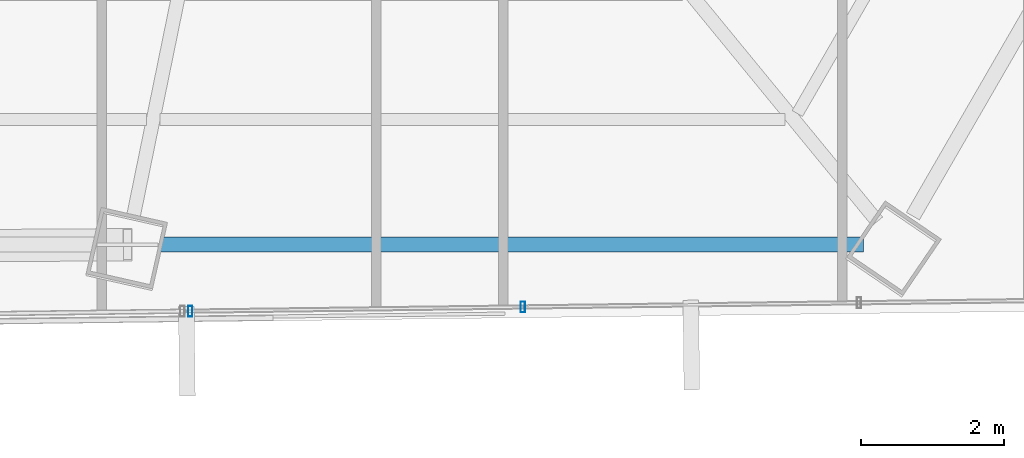
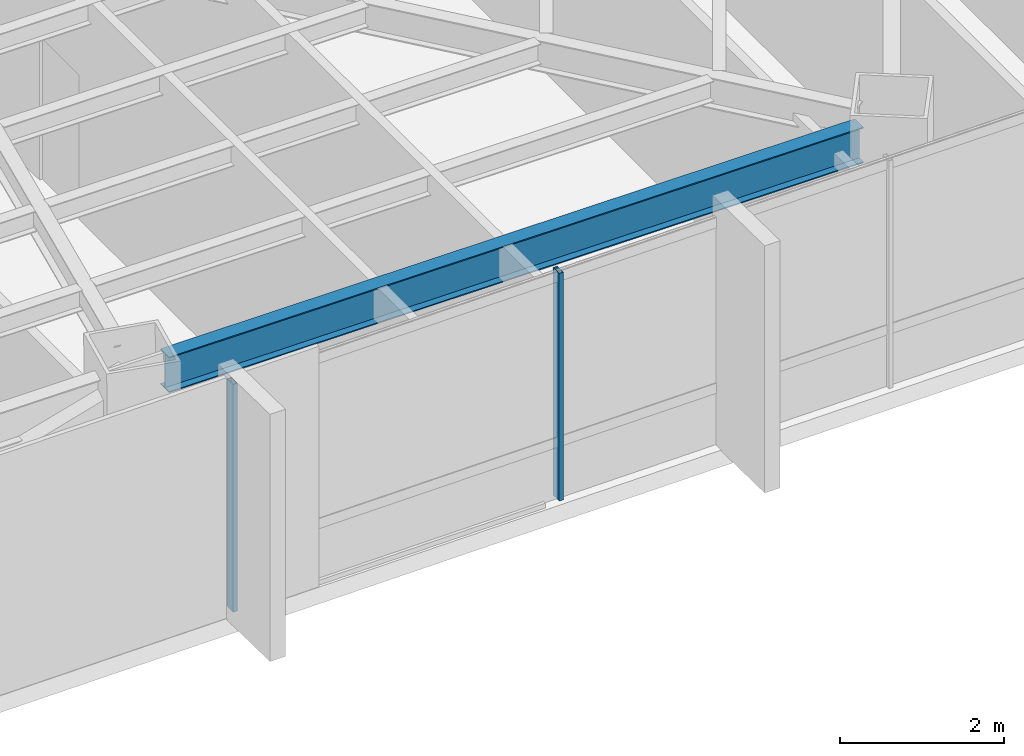
# One storey, part 17 of 42: 2 members, 1 beam, 1 element without a shape of its own.
"""IFC4 building model written with IfcOpenShell, lengths in metres."""

from ifc_helpers import new_model, si_unit, direction, frame, origin, origin_2d, place, context, subcontext, project, spatial, hollow_rectangle, i_section, extrude, source, transform, mapped, material, material_profile, profile_set, type_object, type_shapes, element, aggregate, save


model = new_model("IFC4")

# Units and contexts
model_context = context("Model", 3, precision=1e-05, world=origin(), true_north=direction((0.0, 1.0)))
body_context = subcontext(model_context, "Body", "Model", "MODEL_VIEW")
ifc_project = project(units=[si_unit("LENGTHUNIT", "METRE"), si_unit("AREAUNIT", "SQUARE_METRE"), si_unit("VOLUMEUNIT", "CUBIC_METRE"), si_unit("PLANEANGLEUNIT", "RADIAN"), si_unit("MASSUNIT", "GRAM", prefix="KILO")], contexts=[model_context])

# Site, building, storey
site_placement = place(None, origin())
site = spatial("IfcSite", under=ifc_project, at=site_placement, CompositionType="ELEMENT")
building_placement = place(site_placement, origin())
building = spatial("IfcBuilding", under=site, at=building_placement, Name="Caelisora Broadcast Tower", CompositionType="ELEMENT")
storey_placement = place(building_placement, frame((0.0, 0.0, 131.800048828125)))
storey = spatial("IfcBuildingStorey", under=building, at=storey_placement, Name="L34", CompositionType="ELEMENT", Elevation=131.800048828125)

# Beam
ifc_material_1 = material(Name="Steel Grade 350 (AS/NZS 3679.1)", Category="steel")
ifc_material_profile_1 = material_profile(ifc_material_1, i_section(OverallWidth=0.208984375, OverallDepth=0.532958984375, WebThickness=0.01025390625, FlangeThickness=0.015625, at=origin_2d()), Name="Steel Grade 350 (AS/NZS 3679.1)")
ifc_profile_set_1 = profile_set([ifc_material_profile_1], Name="Steel Grade 350 (AS/NZS 3679.1)")
beam_type = type_object("IfcBeamType", Name="PG05", PredefinedType="BEAM", material=ifc_profile_set_1)
shared_shape_1 = source(origin(), body_context, "Body", "SweptSolid", [
    extrude(i_section(OverallWidth=0.208984375, OverallDepth=0.532958984375, WebThickness=0.01025390625, FlangeThickness=0.015625, at=origin_2d()), origin(), (0.0, 0.0, 1.0), 9.803466796875),
])
type_shapes(beam_type, [shared_shape_1])
beam_placement = place(storey_placement, frame((43.821533203125, 6.936279296875, 3.133544921875), z_axis=(1.0, 0.0, 0.0), x_axis=(0.0, 1.0, 0.0)))
element("IfcBeam", 1, at=beam_placement, inside=storey, type_object=beam_type, Name="L34 beam PG05", PredefinedType="BEAM", context=body_context, shape_type="MappedRepresentation", body=[
    mapped(shared_shape_1, transform((0.0, 0.0, 0.0), scale=1.0)),
])

# Curtain wall, members
ifc_material_2 = material(Name="Unitised Aluminium and Low-E Glass Curtain Wall", Category="glass")
curtain_wall_type = type_object("IfcCurtainWallType", Name="CW-Z3", PredefinedType="NOTDEFINED", material=ifc_material_2)
curtain_wall_placement = place(storey_placement, origin())
curtain_wall = element("IfcCurtainWall", 2, at=curtain_wall_placement, inside=storey, type_object=curtain_wall_type, Name="L34 curtain wall CW-Z3", PredefinedType="NOTDEFINED")
ifc_material_3 = material(Name="Aluminium 6063-T6 Anodised Terracotta Bronze", Category="aluminium")
ifc_material_profile_2 = material_profile(ifc_material_3, hollow_rectangle(XDim=0.06005859375, YDim=0.14990234375, WallThickness=0.00341796875, at=origin_2d()), Name="Aluminium 6063-T6 Anodised Terracotta Bronze")
ifc_profile_set_2 = profile_set([ifc_material_profile_2], Name="Aluminium 6063-T6 Anodised Terracotta Bronze")
member_type = type_object("IfcMemberType", Name="CWM-03", PredefinedType="MULLION", material=ifc_profile_set_2)
shared_shape_2 = source(origin(), body_context, "Body", "SweptSolid", [
    extrude(hollow_rectangle(XDim=0.06005859375, YDim=0.14990234375, WallThickness=0.00341796875, at=origin_2d()), origin(), (0.0, 0.0, 1.0), 3.39990234375),
])
type_shapes(member_type, [shared_shape_2])
member_1_placement = place(storey_placement, frame((48.875, 6.0673828125, 0.0), z_axis=(0.0, 0.0, 1.0), x_axis=(1.0, 0.0, 0.0)))
member_1 = element("IfcMember", 3, at=member_1_placement, type_object=member_type, Name="L34-CW-B05 mullion #2", PredefinedType="MULLION", context=body_context, shape_type="MappedRepresentation", body=[
    mapped(shared_shape_2, transform((0.0, 0.0, 0.0), scale=1.0)),
])
member_2_placement = place(storey_placement, frame((44.236083984375, 6.009033203125, 0.0), z_axis=(0.0, 0.0, 1.0), x_axis=(1.0, 0.0, 0.0)))
member_2 = element("IfcMember", 4, at=member_2_placement, type_object=member_type, Name="L34-CW-B05 mullion #3", PredefinedType="MULLION", context=body_context, shape_type="MappedRepresentation", body=[
    mapped(shared_shape_2, transform((0.0, 0.0, 0.0), scale=1.0)),
])
aggregate(curtain_wall, [member_1, member_2])

save(model, "model.ifc")
